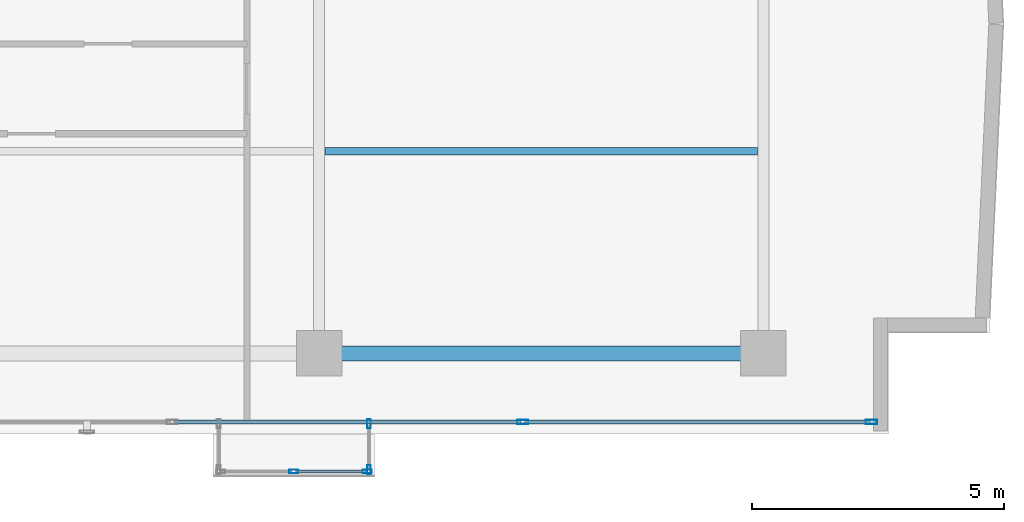
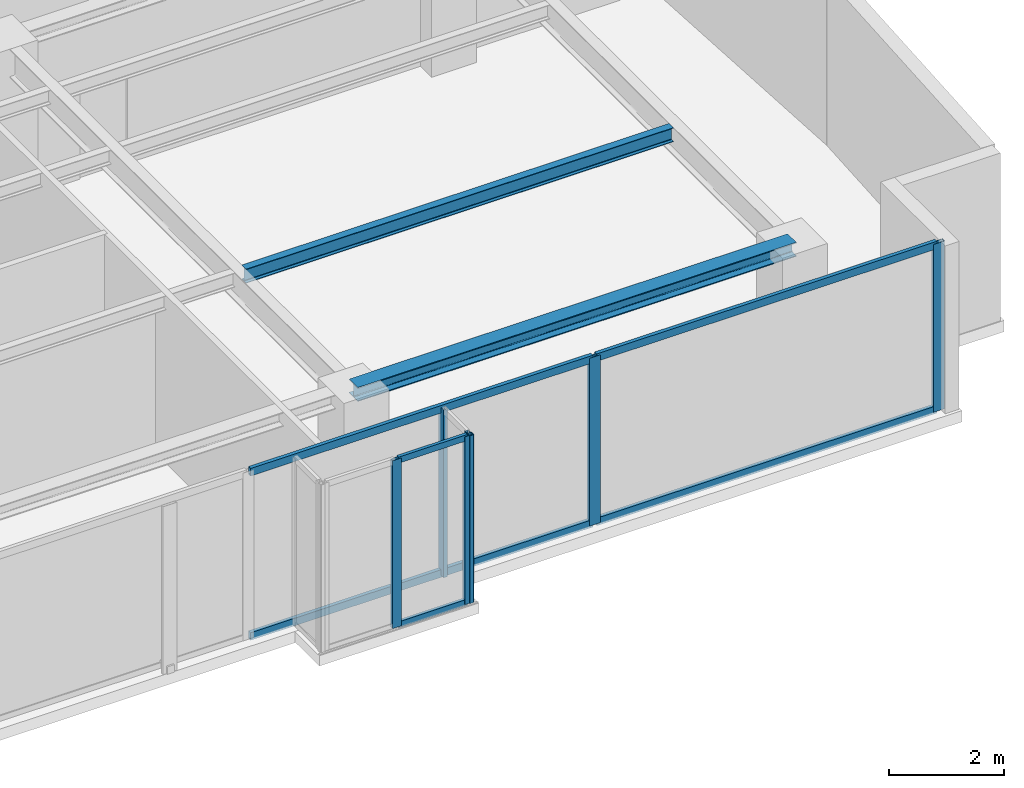
# One storey, part 11 of 24: 12 members, 2 beams, 3 elements without a shape of their own.
"""IFC4 building model written with IfcOpenShell, lengths in metres."""

import ifcopenshell
import ifcopenshell.guid

model = None  # the IFC model being written
_history = None  # IfcOwnerHistory: only IFC2X3 demands one
_inside = {}  # id of a spatial element -> (the spatial element, [elements in it])
_under = {}  # id of a project, library or spatial element -> (it, [spatial elements below it])
_declared = {}  # id of a project -> (the project, [libraries it declares])
_typed = {}  # id of a type object -> (the type object, [elements of that type])
_made_of = {}  # id of a material, layer set ... -> (it, [elements and type objects made of it])


def new_model(schema):
    """Start an empty IFC model of exactly this schema.

    Asked for "IFC4X3", IfcOpenShell would pick the latest addendum, in which some entities
    have other attributes; the version numbers below select the first issue.
    IFC2X3 requires an IfcOwnerHistory on every rooted entity: one is made here for all.
    """
    global model, _history
    if schema == "IFC4X3":
        model = ifcopenshell.file(schema_version=(4, 3, 0, 0))
    else:
        model = ifcopenshell.file(schema=schema)
    _inside.clear()
    _under.clear()
    _declared.clear()
    _typed.clear()
    _made_of.clear()
    _history = None
    if model.schema == "IFC2X3":
        org = make("IfcOrganization", Name="unknown")
        user = make(
            "IfcPersonAndOrganization",
            ThePerson=make("IfcPerson", FamilyName="unknown"),
            TheOrganization=org,
        )
        app = make(
            "IfcApplication",
            ApplicationDeveloper=org,
            Version="unknown",
            ApplicationFullName="unknown",
            ApplicationIdentifier="unknown",
        )
        _history = make(
            "IfcOwnerHistory",
            OwningUser=user,
            OwningApplication=app,
            ChangeAction="ADDED",
            CreationDate=0,
        )
    return model


def make(cls, **values):
    """One entity of the class cls with the attributes given. An attribute that is None is left unset."""
    return model.create_entity(
        cls, **{name: value for name, value in values.items() if value is not None}
    )


def rooted(cls, **values):
    """An entity with a GlobalId (a new one), such as an element, a storey or a relation."""
    return make(cls, GlobalId=ifcopenshell.guid.new(), OwnerHistory=_history, **values)


def si_unit(unit_type, name, prefix=None):
    """IfcSIUnit, for example si_unit("LENGTHUNIT", "METRE", prefix="MILLI")."""
    return make("IfcSIUnit", UnitType=unit_type, Prefix=prefix, Name=name)


def assignment(units):
    """IfcUnitAssignment: the units of a project."""
    return None if units is None else make("IfcUnitAssignment", Units=units)


def point(xyz):
    """IfcCartesianPoint."""
    return None if xyz is None else make("IfcCartesianPoint", Coordinates=xyz)


def direction(xyz):
    """IfcDirection."""
    return None if xyz is None else make("IfcDirection", DirectionRatios=xyz)


def frame(location, z_axis=None, x_axis=None):
    """IfcAxis2Placement3D, a coordinate frame: its origin and axes. An axis left out is left unset."""
    return make(
        "IfcAxis2Placement3D",
        Location=point(location),
        Axis=direction(z_axis),
        RefDirection=direction(x_axis),
    )


def frame_2d(location, x_axis=None):
    """IfcAxis2Placement2D, a coordinate frame in the plane: its origin and x axis."""
    return make(
        "IfcAxis2Placement2D", Location=point(location), RefDirection=direction(x_axis)
    )


def origin():
    """The frame at (0, 0, 0) with its axes left unset."""
    return frame((0.0, 0.0, 0.0))


def origin_with_axes():
    """The frame at (0, 0, 0) with the z axis (0, 0, 1) and the x axis (1, 0, 0) written out."""
    return frame((0.0, 0.0, 0.0), z_axis=(0.0, 0.0, 1.0), x_axis=(1.0, 0.0, 0.0))


def origin_2d():
    """The frame at (0, 0) in the plane with its x axis left unset."""
    return frame_2d((0.0, 0.0))


def place(relative_to, where):
    """IfcLocalPlacement: puts the frame where relative to a parent placement (None: the world)."""
    return make(
        "IfcLocalPlacement", PlacementRelTo=relative_to, RelativePlacement=where
    )


def context(
    kind, dimensions, precision=None, world=None, true_north=None, identifier=None
):
    """IfcGeometricRepresentationContext, for example the 3D "Model" context."""
    return make(
        "IfcGeometricRepresentationContext",
        ContextIdentifier=identifier,
        ContextType=kind,
        CoordinateSpaceDimension=dimensions,
        Precision=precision,
        WorldCoordinateSystem=world,
        TrueNorth=true_north,
    )


def subcontext(parent, identifier, kind, view, scale=None):
    """IfcGeometricRepresentationSubContext, for example "Body" below "Model"."""
    return make(
        "IfcGeometricRepresentationSubContext",
        ContextIdentifier=identifier,
        ContextType=kind,
        ParentContext=parent,
        TargetScale=scale,
        TargetView=view,
    )


def project(units=None, contexts=None):
    """IfcProject with its units and contexts."""
    return rooted(
        "IfcProject",
        Name="project",
        RepresentationContexts=contexts,
        UnitsInContext=assignment(units),
    )


def spatial(cls, under=None, at=None, **own):
    """A site, building, storey or space (cls), placed at a placement, below another one or the project."""
    s = rooted(cls, ObjectPlacement=at, **own)
    if under is not None:
        _under.setdefault(under.id(), (under, []))[1].append(s)
    return s


def profile(cls, at=None, kind="AREA", **sizes):
    """A parametric profile (cls). Its sizes go by their IFC names, for example OverallWidth=200.0."""
    return make(cls, ProfileType=kind, Position=at, **sizes)


def hollow_rectangle(**sizes):
    """IfcRectangleHollowProfileDef."""
    return profile("IfcRectangleHollowProfileDef", **sizes)


def i_section(**sizes):
    """IfcIShapeProfileDef."""
    return profile("IfcIShapeProfileDef", **sizes)


def extrude(swept, where, along, depth):
    """IfcExtrudedAreaSolid: the profile swept, set in the frame where, extruded along a direction by depth."""
    return make(
        "IfcExtrudedAreaSolid",
        SweptArea=swept,
        Position=where,
        ExtrudedDirection=direction(along),
        Depth=depth,
    )


def shape(context_of_items, identifier, shape_type, items):
    """IfcShapeRepresentation: the items that make up one representation, for example the "Body"."""
    return make(
        "IfcShapeRepresentation",
        ContextOfItems=context_of_items,
        RepresentationIdentifier=identifier,
        RepresentationType=shape_type,
        Items=items,
    )


def source(mapping_origin, context_of_items, identifier, shape_type, items):
    """IfcRepresentationMap: a shape defined once, which mapped items show again and again."""
    return make(
        "IfcRepresentationMap",
        MappingOrigin=mapping_origin,
        MappedRepresentation=shape(context_of_items, identifier, shape_type, items),
    )


def transform(
    local_origin,
    x_axis=None,
    y_axis=None,
    z_axis=None,
    scale=None,
    scale2=None,
    scale3=None,
    uniform=True,
):
    """IfcCartesianTransformationOperator3D, or its non-uniform kind. x_axis, y_axis, z_axis: its Axis1, 2, 3."""
    if uniform:
        return make(
            "IfcCartesianTransformationOperator3D",
            Axis1=direction(x_axis),
            Axis2=direction(y_axis),
            LocalOrigin=point(local_origin),
            Scale=scale,
            Axis3=direction(z_axis),
        )
    return make(
        "IfcCartesianTransformationOperator3DnonUniform",
        Axis1=direction(x_axis),
        Axis2=direction(y_axis),
        LocalOrigin=point(local_origin),
        Scale=scale,
        Axis3=direction(z_axis),
        Scale2=scale2,
        Scale3=scale3,
    )


def mapped(mapping_source, mapping_target):
    """IfcMappedItem: shows the shape of a source again, moved by a transform."""
    return make(
        "IfcMappedItem", MappingSource=mapping_source, MappingTarget=mapping_target
    )


def material(Name=None, Category=None):
    """IfcMaterial."""
    return make("IfcMaterial", Name=Name, Category=Category)


def layer(
    of_material, thickness, ventilated=None, Name=None, Category=None, Priority=None
):
    """IfcMaterialLayer: one layer of a wall or slab, of a material (None: an air gap)."""
    return make(
        "IfcMaterialLayer",
        Material=of_material,
        LayerThickness=thickness,
        IsVentilated=ventilated,
        Name=Name,
        Category=Category,
        Priority=Priority,
    )


def layer_set(layers, Name=None):
    """IfcMaterialLayerSet."""
    return make("IfcMaterialLayerSet", MaterialLayers=layers, LayerSetName=Name)


def material_profile(
    of_material, cross_section, Name=None, Category=None, Priority=None
):
    """IfcMaterialProfile: a cross section and its material."""
    return make(
        "IfcMaterialProfile",
        Name=Name,
        Material=of_material,
        Profile=cross_section,
        Priority=Priority,
        Category=Category,
    )


def profile_set(profiles, Name=None, composite=None):
    """IfcMaterialProfileSet."""
    return make(
        "IfcMaterialProfileSet",
        Name=Name,
        MaterialProfiles=profiles,
        CompositeProfile=composite,
    )


def made_of(thing, what):
    """Note that an element or type object is made of a material, layer set ...; save() writes the relation."""
    if what is not None:
        _made_of.setdefault(what.id(), (what, []))[1].append(thing)
    return thing


def type_object(cls, material=None, **own):
    """A type object (cls), such as IfcWallType, which elements share."""
    return made_of(rooted(cls, **own), material)


def element(
    cls,
    number,
    at=None,
    inside=None,
    cuts=None,
    type_object=None,
    material=None,
    context=None,
    identifier="Body",
    shape_type=None,
    held_by="IfcProductDefinitionShape",
    body=None,
    shapes=None,
    **own,
):
    """One element of the class cls, such as IfcWall. Its Tag is "e" and its number.

    at: its placement. inside: the storey or other place that contains it. cuts: it is an
    opening in that element (IfcRelVoidsElement). A single representation is given by context,
    identifier, shape_type and body (its items); several are given by shapes. held_by: the class
    of the entity that holds the representations. save() writes the other relations.
    """
    e = rooted(cls, Tag="e%d" % number, ObjectPlacement=at, **own)
    if body is not None:
        shapes = [shape(context, identifier, shape_type, body)]
    if shapes is not None:
        e.Representation = make(held_by, Representations=shapes)
    if inside is not None:
        _inside.setdefault(inside.id(), (inside, []))[1].append(e)
    if cuts is not None:
        rooted(
            "IfcRelVoidsElement", RelatingBuildingElement=cuts, RelatedOpeningElement=e
        )
    if type_object is not None:
        _typed.setdefault(type_object.id(), (type_object, []))[1].append(e)
    return made_of(e, material)


def aggregate(whole, parts):
    """IfcRelAggregates: a whole, such as a stair, and the parts it consists of."""
    return rooted("IfcRelAggregates", RelatingObject=whole, RelatedObjects=parts)


def save(model, path):
    """Write the relations noted so far, then the file.

    IfcRelAggregates (storeys below a building ...), IfcRelContainedInSpatialStructure (elements
    in a storey), IfcRelDefinesByType, IfcRelAssociatesMaterial and IfcRelDeclares: one each for
    every whole, place, type object, material and project.
    """
    for whole, parts in _under.values():
        aggregate(whole, parts)
    for where, things in _inside.values():
        rooted(
            "IfcRelContainedInSpatialStructure",
            RelatedElements=things,
            RelatingStructure=where,
        )
    for kind, things in _typed.values():
        rooted("IfcRelDefinesByType", RelatedObjects=things, RelatingType=kind)
    for what, things in _made_of.values():
        rooted("IfcRelAssociatesMaterial", RelatedObjects=things, RelatingMaterial=what)
    for by, libraries in _declared.values():
        rooted("IfcRelDeclares", RelatingContext=by, RelatedDefinitions=libraries)
    model.write(path)


model = new_model("IFC4")

# Units and contexts
model_context = context("Model", 3, precision=1e-05, world=origin(), true_north=direction((0.0, 1.0)))
body_context = subcontext(model_context, "Body", "Model", "MODEL_VIEW")
ifc_project = project(units=[si_unit("LENGTHUNIT", "METRE"), si_unit("AREAUNIT", "SQUARE_METRE"), si_unit("VOLUMEUNIT", "CUBIC_METRE"), si_unit("PLANEANGLEUNIT", "RADIAN"), si_unit("MASSUNIT", "GRAM", prefix="KILO")], contexts=[model_context])

# Site, building, storey
site_placement = place(None, origin())
site = spatial("IfcSite", under=ifc_project, at=site_placement, CompositionType="ELEMENT")
building_placement = place(site_placement, origin())
building = spatial("IfcBuilding", under=site, at=building_placement, Name="Kolvaren Waterfront Exchange", CompositionType="ELEMENT")
storey_placement = place(building_placement, frame((0.0, 0.0, 316.0)))
storey = spatial("IfcBuildingStorey", under=building, at=storey_placement, Name="L81", CompositionType="ELEMENT", Elevation=316.0)

# Beams
ifc_material_1 = material(Name="Steel S355", Category="steel")
ifc_material_profile_1 = material_profile(ifc_material_1, i_section(OverallWidth=0.300048828125, OverallDepth=0.300048828125, WebThickness=0.010986328125, FlangeThickness=0.01904296875, FilletRadius=0.027099609375, at=origin_2d()), Name="HEB300")
ifc_profile_set_1 = profile_set([ifc_material_profile_1], Name="Steel S355")
beam_type_1 = type_object("IfcBeamType", Name="STR-BM-HEB300", PredefinedType="SPANDREL", material=ifc_profile_set_1)
beam_1_placement = place(storey_placement, frame((36.800048828125, 5.199951171875, 3.409912109375), z_axis=(1.0, 0.0, 0.0), x_axis=(0.0, 1.0, 0.0)))
element("IfcBeam", 1, at=beam_1_placement, inside=storey, type_object=beam_type_1, Name="L81 east-arm spandrel S3", PredefinedType="SPANDREL", context=body_context, shape_type="SweptSolid", body=[
    extrude(i_section(OverallWidth=0.300048828125, OverallDepth=0.300048828125, WebThickness=0.010986328125, FlangeThickness=0.01904296875, FilletRadius=0.027099609375, at=origin_2d()), origin(), (0.0, 0.0, 1.0), 8.800048828125),
])
ifc_material_profile_2 = material_profile(ifc_material_1, i_section(OverallWidth=0.14990234375, OverallDepth=0.300048828125, WebThickness=0.007080078125, FlangeThickness=0.0107421875, FilletRadius=0.014892578125, at=origin_2d()), Name="IPE300")
ifc_profile_set_2 = profile_set([ifc_material_profile_2], Name="Steel S355")
beam_type_2 = type_object("IfcBeamType", Name="STR-BM-IPE300", PredefinedType="JOIST", material=ifc_profile_set_2)
beam_2_placement = place(storey_placement, frame((36.912109375, 9.199951171875, 3.409912109375), z_axis=(1.0, 0.0, 0.0), x_axis=(0.0, 1.0, 0.0)))
element("IfcBeam", 2, at=beam_2_placement, inside=storey, type_object=beam_type_2, Name="L81 east-arm composite joist 3B", PredefinedType="JOIST", context=body_context, shape_type="SweptSolid", body=[
    extrude(i_section(OverallWidth=0.14990234375, OverallDepth=0.300048828125, WebThickness=0.007080078125, FlangeThickness=0.0107421875, FilletRadius=0.014892578125, at=origin_2d()), origin(), (0.0, 0.0, 1.0), 8.575927734375),
])

# Curtain wall, members
ifc_material_2 = material(Name="Anodised bronze aluminium 6063-T6", Category="aluminium")
ifc_layer_1 = layer(ifc_material_2, 0.219970703125, Name="Anodised bronze aluminium 6063-T6")
ifc_layer_set_1 = layer_set([ifc_layer_1], Name="Anodised bronze aluminium 6063-T6")
curtain_wall_type_1 = type_object("IfcCurtainWallType", Name="ARC-CW-SYS3", PredefinedType="USERDEFINED", material=ifc_layer_set_1)
curtain_wall_1_placement = place(storey_placement, origin())
curtain_wall_1 = element("IfcCurtainWall", 3, at=curtain_wall_1_placement, inside=storey, type_object=curtain_wall_type_1, Name="L81 stick curtain wall CW3 (CW-L81-BOX)", ObjectType="STICK CURTAIN WALL", PredefinedType="USERDEFINED")
ifc_material_profile_3 = material_profile(ifc_material_2, hollow_rectangle(XDim=0.06494140625, YDim=0.1298828125, WallThickness=0.00390625, at=origin_2d()), Name="ALU-TRN-130x65x4")
ifc_profile_set_3 = profile_set([ifc_material_profile_3], Name="Anodised bronze aluminium 6063-T6")
member_type_1 = type_object("IfcMemberType", Name="ARC-CWT-130", PredefinedType="USERDEFINED", material=ifc_profile_set_3)
shared_shape_1 = source(origin_with_axes(), body_context, "Body", "SweptSolid", [
    extrude(hollow_rectangle(XDim=0.06494140625, YDim=0.1298828125, WallThickness=0.00390625, at=origin_2d()), origin(), (0.0, 0.0, 1.0), 1.377685546875),
])
member_1_placement = place(storey_placement, frame((36.33740234375, 2.860107421875, 0.032470703125), z_axis=(1.0, 0.0, 0.0), x_axis=(0.0, 1.0, 0.0)))
member_1 = element("IfcMember", 4, at=member_1_placement, type_object=member_type_1, Name="CW3 transom 2.1", ObjectType="TRANSOM", PredefinedType="USERDEFINED", context=body_context, shape_type="MappedRepresentation", body=[
    mapped(shared_shape_1, transform((0.0, 0.0, 0.0), x_axis=(1.0, 0.0, 0.0), y_axis=(0.0, 1.0, 0.0), z_axis=(0.0, 0.0, 1.0), scale=1.0)),
])
member_2_placement = place(storey_placement, frame((36.33740234375, 2.860107421875, 3.527587890625), z_axis=(1.0, 0.0, 0.0), x_axis=(0.0, 1.0, 0.0)))
member_2 = element("IfcMember", 5, at=member_2_placement, type_object=member_type_1, Name="CW3 transom 2.2", ObjectType="TRANSOM", PredefinedType="USERDEFINED", context=body_context, shape_type="MappedRepresentation", body=[
    mapped(shared_shape_1, transform((0.0, 0.0, 0.0), x_axis=(1.0, 0.0, 0.0), y_axis=(0.0, 1.0, 0.0), z_axis=(0.0, 0.0, 1.0), scale=1.0)),
])
ifc_material_profile_4 = material_profile(ifc_material_2, hollow_rectangle(XDim=0.074951171875, YDim=0.179931640625, WallThickness=0.00439453125, at=origin_2d()), Name="ALU-MUL-180x75x4.5")
ifc_profile_set_4 = profile_set([ifc_material_profile_4], Name="Anodised bronze aluminium 6063-T6")
member_type_2 = type_object("IfcMemberType", Name="ARC-CWM-180", PredefinedType="MULLION", material=ifc_profile_set_4)
shared_shape_2 = source(origin_with_axes(), body_context, "Body", "SweptSolid", [
    extrude(hollow_rectangle(XDim=0.074951171875, YDim=0.179931640625, WallThickness=0.00439453125, at=origin_2d()), origin(), (0.0, 0.0, 1.0), 3.56005859375),
])
member_3_placement = place(storey_placement, frame((36.300048828125, 2.860107421875, 0.0), z_axis=(0.0, 0.0, 1.0), x_axis=(0.0, 1.0, 0.0)))
member_3 = element("IfcMember", 6, at=member_3_placement, type_object=member_type_2, Name="CW3 mullion 2", PredefinedType="MULLION", context=body_context, shape_type="MappedRepresentation", body=[
    mapped(shared_shape_2, transform((0.0, 0.0, 0.0), x_axis=(1.0, 0.0, 0.0), y_axis=(0.0, 1.0, 0.0), z_axis=(0.0, 0.0, 1.0), scale=1.0)),
])
member_4_placement = place(storey_placement, frame((37.75244140625, 2.860107421875, 0.0), z_axis=(0.0, 0.0, 1.0), x_axis=(0.0, 1.0, 0.0)))
member_4 = element("IfcMember", 7, at=member_4_placement, type_object=member_type_2, Name="CW3 mullion 3", PredefinedType="MULLION", context=body_context, shape_type="MappedRepresentation", body=[
    mapped(shared_shape_2, transform((0.0, 0.0, 0.0), x_axis=(1.0, 0.0, 0.0), y_axis=(0.0, 1.0, 0.0), z_axis=(0.0, 0.0, 1.0), scale=1.0)),
])
aggregate(curtain_wall_1, [member_3, member_4, member_1, member_2])

curtain_wall_2_placement = place(storey_placement, origin())
curtain_wall_2 = element("IfcCurtainWall", 8, at=curtain_wall_2_placement, inside=storey, type_object=curtain_wall_type_1, Name="L81 stick curtain wall CW3 (CW-L81-BOX-E)", ObjectType="STICK CURTAIN WALL", PredefinedType="USERDEFINED")
member_5_placement = place(storey_placement, frame((37.7900390625, 2.8974609375, 0.0), z_axis=(0.0, 0.0, 1.0), x_axis=(-1.0, 0.0, 0.0)))
member_5 = element("IfcMember", 9, at=member_5_placement, type_object=member_type_2, Name="CW3 mullion 1", PredefinedType="MULLION", context=body_context, shape_type="MappedRepresentation", body=[
    mapped(shared_shape_2, transform((0.0, 0.0, 0.0), x_axis=(1.0, 0.0, 0.0), y_axis=(0.0, 1.0, 0.0), z_axis=(0.0, 0.0, 1.0), scale=1.0)),
])
member_6_placement = place(storey_placement, frame((37.7900390625, 3.802490234375, 0.0), z_axis=(0.0, 0.0, 1.0), x_axis=(-1.0, 0.0, 0.0)))
member_6 = element("IfcMember", 10, at=member_6_placement, type_object=member_type_2, Name="CW3 mullion 2", PredefinedType="MULLION", context=body_context, shape_type="MappedRepresentation", body=[
    mapped(shared_shape_2, transform((0.0, 0.0, 0.0), x_axis=(1.0, 0.0, 0.0), y_axis=(0.0, 1.0, 0.0), z_axis=(0.0, 0.0, 1.0), scale=1.0)),
])
aggregate(curtain_wall_2, [member_5, member_6])

ifc_layer_2 = layer(ifc_material_2, 0.219970703125, Name="Anodised bronze aluminium 6063-T6")
ifc_layer_set_2 = layer_set([ifc_layer_2], Name="Anodised bronze aluminium 6063-T6")
curtain_wall_type_2 = type_object("IfcCurtainWallType", Name="ARC-CW-SYS1", PredefinedType="USERDEFINED", material=ifc_layer_set_2)
curtain_wall_3_placement = place(storey_placement, origin())
curtain_wall_3 = element("IfcCurtainWall", 11, at=curtain_wall_3_placement, inside=storey, type_object=curtain_wall_type_2, Name="L81 stick curtain wall CW1 (CW-L81-S)", ObjectType="STICK CURTAIN WALL", PredefinedType="USERDEFINED")
ifc_material_3 = material(Name="Anodised aluminium 6063-T6", Category="aluminium")
ifc_material_profile_5 = material_profile(ifc_material_3, hollow_rectangle(XDim=0.080078125, YDim=0.219970703125, WallThickness=0.0048828125, at=origin_2d()), Name="ALU-MUL-220x80x5")
ifc_profile_set_5 = profile_set([ifc_material_profile_5], Name="Anodised aluminium 6063-T6")
member_type_3 = type_object("IfcMemberType", Name="ARC-CWM-220", PredefinedType="MULLION", material=ifc_profile_set_5)
shared_shape_3 = source(origin_with_axes(), body_context, "Body", "SweptSolid", [
    extrude(hollow_rectangle(XDim=0.080078125, YDim=0.219970703125, WallThickness=0.0048828125, at=origin_2d()), origin(), (0.0, 0.0, 1.0), 3.56005859375),
])
member_7_placement = place(storey_placement, frame((40.8369140625, 3.840087890625, 0.0), z_axis=(0.0, 0.0, 1.0), x_axis=(0.0, 1.0, 0.0)))
member_7 = element("IfcMember", 12, at=member_7_placement, type_object=member_type_3, Name="CW1 mullion 6", PredefinedType="MULLION", context=body_context, shape_type="MappedRepresentation", body=[
    mapped(shared_shape_3, transform((0.0, 0.0, 0.0), x_axis=(1.0, 0.0, 0.0), y_axis=(0.0, 1.0, 0.0), z_axis=(0.0, 0.0, 1.0), scale=1.0)),
])
member_8_placement = place(storey_placement, frame((47.744140625, 3.840087890625, 0.0), z_axis=(0.0, 0.0, 1.0), x_axis=(0.0, 1.0, 0.0)))
member_8 = element("IfcMember", 13, at=member_8_placement, type_object=member_type_3, Name="CW1 mullion 7", PredefinedType="MULLION", context=body_context, shape_type="MappedRepresentation", body=[
    mapped(shared_shape_3, transform((0.0, 0.0, 0.0), x_axis=(1.0, 0.0, 0.0), y_axis=(0.0, 1.0, 0.0), z_axis=(0.0, 0.0, 1.0), scale=1.0)),
])
ifc_material_profile_6 = material_profile(ifc_material_3, hollow_rectangle(XDim=0.074951171875, YDim=0.159912109375, WallThickness=0.00439453125, at=origin_2d()), Name="ALU-TRN-160x75x4.5")
ifc_profile_set_6 = profile_set([ifc_material_profile_6], Name="Anodised aluminium 6063-T6")
member_type_4 = type_object("IfcMemberType", Name="ARC-CWT-160", PredefinedType="USERDEFINED", material=ifc_profile_set_6)
shared_shape_4 = source(origin_with_axes(), body_context, "Body", "SweptSolid", [
    extrude(hollow_rectangle(XDim=0.074951171875, YDim=0.159912109375, WallThickness=0.00439453125, at=origin_2d()), origin(), (0.0, 0.0, 1.0), 6.867431640625),
])
member_9_placement = place(storey_placement, frame((33.929443359375, 3.840087890625, 0.03759765625), z_axis=(1.0, 0.0, 0.0), x_axis=(0.0, 1.0, 0.0)))
member_9 = element("IfcMember", 14, at=member_9_placement, type_object=member_type_4, Name="CW1 transom 5.1", ObjectType="TRANSOM", PredefinedType="USERDEFINED", context=body_context, shape_type="MappedRepresentation", body=[
    mapped(shared_shape_4, transform((0.0, 0.0, 0.0), x_axis=(1.0, 0.0, 0.0), y_axis=(0.0, 1.0, 0.0), z_axis=(0.0, 0.0, 1.0), scale=1.0)),
])
member_10_placement = place(storey_placement, frame((33.929443359375, 3.840087890625, 3.5224609375), z_axis=(1.0, 0.0, 0.0), x_axis=(0.0, 1.0, 0.0)))
member_10 = element("IfcMember", 15, at=member_10_placement, type_object=member_type_4, Name="CW1 transom 5.2", ObjectType="TRANSOM", PredefinedType="USERDEFINED", context=body_context, shape_type="MappedRepresentation", body=[
    mapped(shared_shape_4, transform((0.0, 0.0, 0.0), x_axis=(1.0, 0.0, 0.0), y_axis=(0.0, 1.0, 0.0), z_axis=(0.0, 0.0, 1.0), scale=1.0)),
])
shared_shape_5 = source(origin_with_axes(), body_context, "Body", "SweptSolid", [
    extrude(hollow_rectangle(XDim=0.074951171875, YDim=0.159912109375, WallThickness=0.00439453125, at=origin_2d()), origin(), (0.0, 0.0, 1.0), 6.8271484375),
])
member_11_placement = place(storey_placement, frame((40.876953125, 3.840087890625, 0.03759765625), z_axis=(1.0, 0.0, 0.0), x_axis=(0.0, 1.0, 0.0)))
member_11 = element("IfcMember", 16, at=member_11_placement, type_object=member_type_4, Name="CW1 transom 6.1", ObjectType="TRANSOM", PredefinedType="USERDEFINED", context=body_context, shape_type="MappedRepresentation", body=[
    mapped(shared_shape_5, transform((0.0, 0.0, 0.0), x_axis=(1.0, 0.0, 0.0), y_axis=(0.0, 1.0, 0.0), z_axis=(0.0, 0.0, 1.0), scale=1.0)),
])
member_12_placement = place(storey_placement, frame((40.876953125, 3.840087890625, 3.5224609375), z_axis=(1.0, 0.0, 0.0), x_axis=(0.0, 1.0, 0.0)))
member_12 = element("IfcMember", 17, at=member_12_placement, type_object=member_type_4, Name="CW1 transom 6.2", ObjectType="TRANSOM", PredefinedType="USERDEFINED", context=body_context, shape_type="MappedRepresentation", body=[
    mapped(shared_shape_5, transform((0.0, 0.0, 0.0), x_axis=(1.0, 0.0, 0.0), y_axis=(0.0, 1.0, 0.0), z_axis=(0.0, 0.0, 1.0), scale=1.0)),
])
aggregate(curtain_wall_3, [member_7, member_8, member_9, member_10, member_11, member_12])

save(model, "model.ifc")
